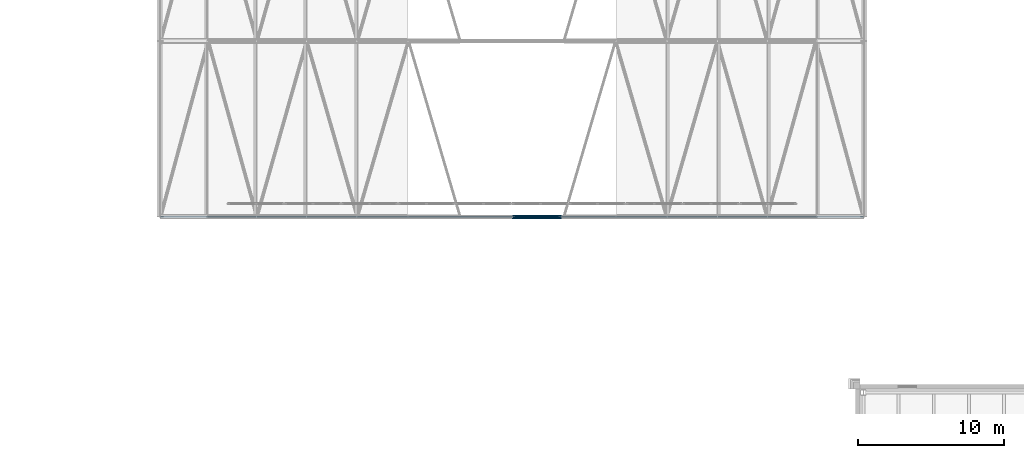
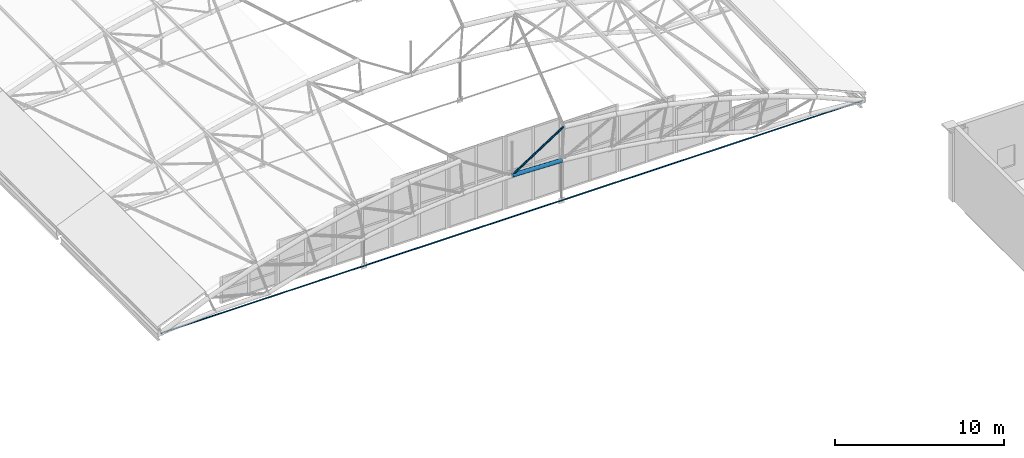
# One storey, part 122 of 321: 3 members.
"""IFC4 building model written with IfcOpenShell, lengths in metres."""

from ifc_helpers import new_model, si_unit, direction, frame, origin, origin_2d, place, context, subcontext, project, spatial, circle, hollow_circle, extrude, material, material_profile, profile_set, type_object, element, save


model = new_model("IFC4")

# Units and contexts
model_context = context("Model", 3, precision=1e-05, world=origin(), true_north=direction((0.0, 1.0)))
body_context = subcontext(model_context, "Body", "Model", "MODEL_VIEW")
ifc_project = project(units=[si_unit("LENGTHUNIT", "METRE"), si_unit("AREAUNIT", "SQUARE_METRE"), si_unit("VOLUMEUNIT", "CUBIC_METRE"), si_unit("PLANEANGLEUNIT", "RADIAN"), si_unit("MASSUNIT", "GRAM", prefix="KILO")], contexts=[model_context])

# Site, building, storey
site_placement = place(None, origin())
site = spatial("IfcSite", under=ifc_project, at=site_placement, CompositionType="ELEMENT")
building_placement = place(site_placement, origin())
building = spatial("IfcBuilding", under=site, at=building_placement, Name="Ravi Spectrum Wholesale Market", CompositionType="ELEMENT")
storey_placement = place(building_placement, frame((0.0, 0.0, 10.800048828125)))
storey = spatial("IfcBuildingStorey", under=building, at=storey_placement, Name="L02", CompositionType="ELEMENT", Elevation=10.800048828125)

# Members
ifc_material_1 = material(Name="Steel S355", Category="steel")
ifc_material_profile_1 = material_profile(ifc_material_1, hollow_circle(Radius=0.06982421875, WallThickness=0.0048828125, at=origin_2d()))
ifc_profile_set_1 = profile_set([ifc_material_profile_1], Name="Steel S355")
member_type_1 = type_object("IfcMemberType", Name="CHS 139.7x5 brace", PredefinedType="BRACE", material=ifc_profile_set_1)
member_1_placement = place(storey_placement, frame((177.540771484375, 78.0, 5.2880859375), z_axis=(-0.839894736946, 0.0, -0.542749325978), x_axis=(0.0, -1.0, 0.0)))
element("IfcMember", 1, at=member_1_placement, inside=storey, type_object=member_type_1, Name="H2-MB-L02-048", PredefinedType="BRACE", context=body_context, shape_type="SweptSolid", body=[
    extrude(hollow_circle(Radius=0.06982421875, WallThickness=0.0048828125, at=origin_2d()), origin(), (0.0, 0.0, 1.0), 4.2158203125),
])
ifc_material_2 = material(Name="Steel S355", Category="steel")
ifc_material_profile_2 = material_profile(ifc_material_2, hollow_circle(Radius=0.136474609375, WallThickness=0.010009765625, at=origin_2d()))
ifc_profile_set_2 = profile_set([ifc_material_profile_2], Name="Steel S355")
member_type_2 = type_object("IfcMemberType", Name="CHS 273x10 chord", PredefinedType="CHORD", material=ifc_profile_set_2)
member_2_placement = place(storey_placement, frame((174.0, 78.0, 3.0), z_axis=(0.999500345993, 0.0, -0.031607884447), x_axis=(0.0, 1.0, 0.0)))
element("IfcMember", 2, at=member_2_placement, inside=storey, type_object=member_type_2, Name="H2-MB-L02-022", PredefinedType="CHORD", context=body_context, shape_type="SweptSolid", body=[
    extrude(hollow_circle(Radius=0.136474609375, WallThickness=0.010009765625, at=origin_2d()), origin(), (0.0, 0.0, 1.0), 3.390869140625),
])
ifc_material_3 = material(Name="Steel S460", Category="steel")
ifc_material_profile_3 = material_profile(ifc_material_3, circle(Radius=0.034912109375, at=origin_2d()))
ifc_profile_set_3 = profile_set([ifc_material_profile_3], Name="Steel S460")
member_type_3 = type_object("IfcMemberType", Name="ROD 70 tie", PredefinedType="BRACE", material=ifc_profile_set_3)
member_3_placement = place(storey_placement, frame((150.0, 78.0, 0.0), z_axis=(1.0, 0.0, 0.0), x_axis=(0.0, 1.0, 0.0)))
element("IfcMember", 3, at=member_3_placement, inside=storey, type_object=member_type_3, Name="H2-MB-L02-054", PredefinedType="BRACE", context=body_context, shape_type="SweptSolid", body=[
    extrude(circle(Radius=0.034912109375, at=origin_2d()), origin(), (0.0, 0.0, 1.0), 48.0),
])

save(model, "model.ifc")
